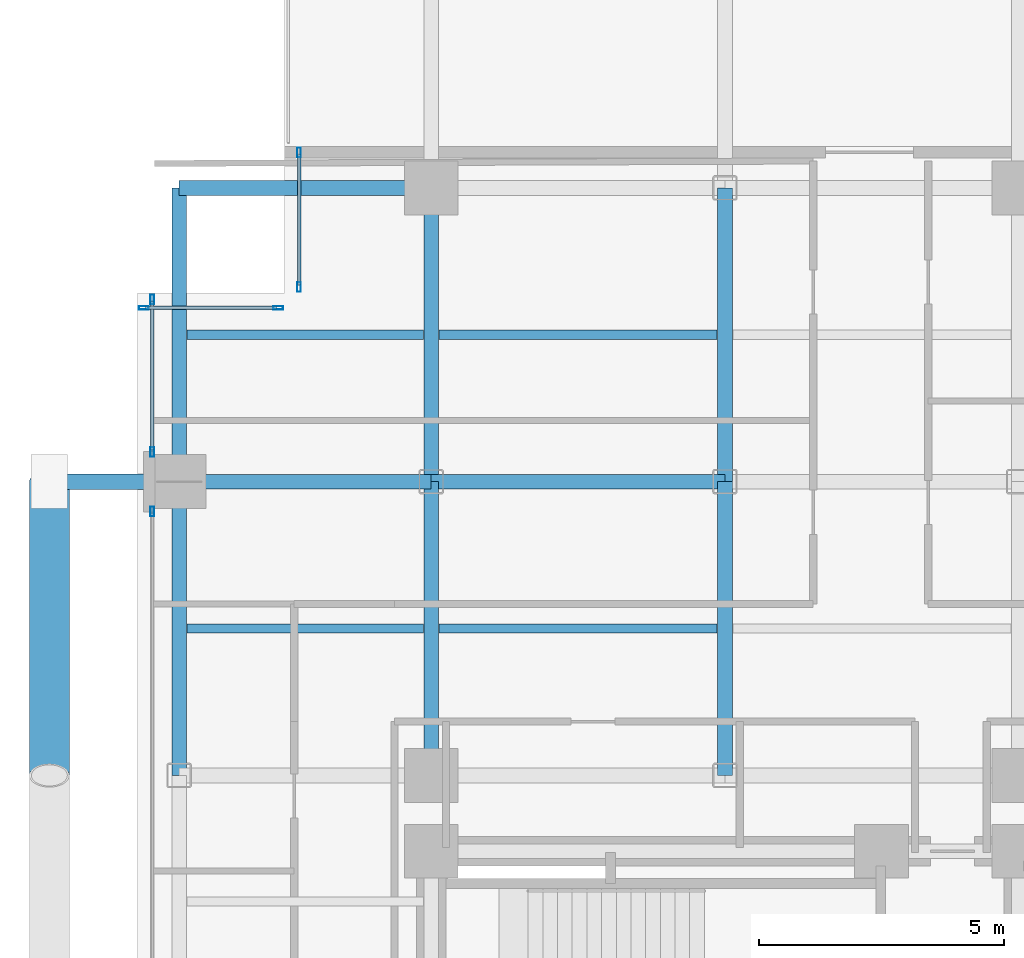
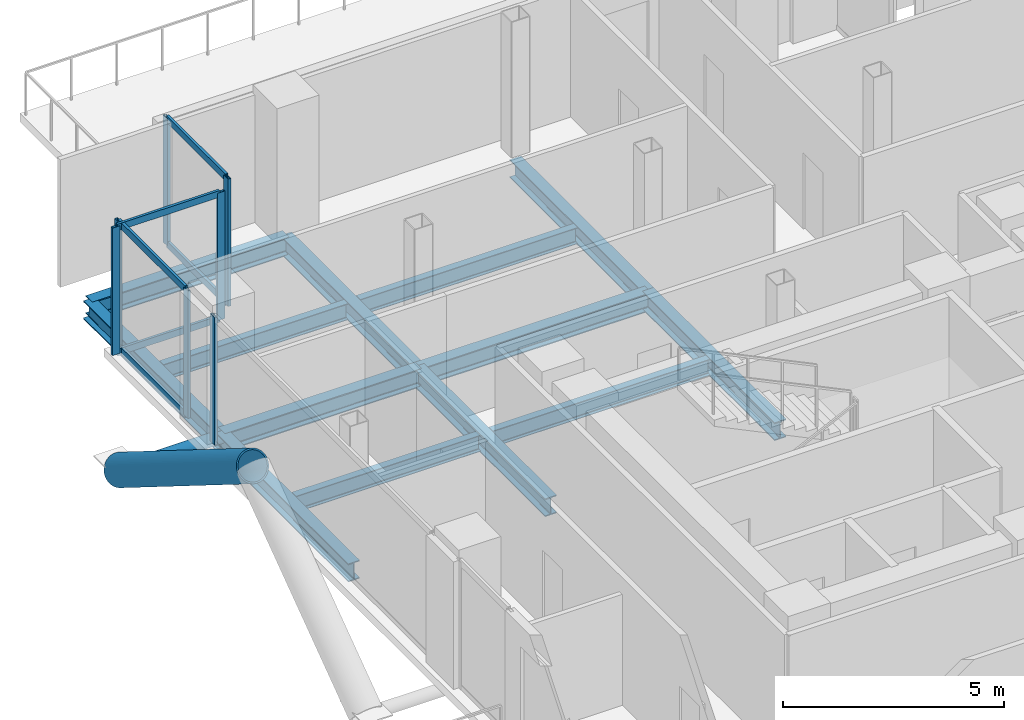
# One storey, part 15 of 26: 15 members, 13 beams, 4 elements without a shape of their own.
"""IFC4 building model written with IfcOpenShell, lengths in metres."""

from ifc_helpers import new_model, si_unit, direction, frame, origin, origin_2d, place, context, subcontext, project, spatial, hollow_rectangle, hollow_circle, i_section, extrude, material, layer, layer_set, material_profile, profile_set, type_object, element, aggregate, save


model = new_model("IFC4")

# Units and contexts
model_context = context("Model", 3, precision=1e-05, world=origin(), true_north=direction((0.0, 1.0)))
body_context = subcontext(model_context, "Body", "Model", "MODEL_VIEW")
ifc_project = project(units=[si_unit("LENGTHUNIT", "METRE"), si_unit("AREAUNIT", "SQUARE_METRE"), si_unit("VOLUMEUNIT", "CUBIC_METRE"), si_unit("PLANEANGLEUNIT", "RADIAN"), si_unit("MASSUNIT", "GRAM", prefix="KILO"), si_unit("THERMODYNAMICTEMPERATUREUNIT", "KELVIN"), si_unit("POWERUNIT", "WATT")], contexts=[model_context])

# Site, building, storey
site_placement = place(None, origin())
site = spatial("IfcSite", under=ifc_project, at=site_placement, CompositionType="ELEMENT")
building_placement = place(site_placement, origin())
building = spatial("IfcBuilding", under=site, at=building_placement, Name="Svarakhadi Broadcast Tower", CompositionType="ELEMENT")
storey_placement = place(building_placement, frame((0.0, 0.0, 99.60009765625)))
storey = spatial("IfcBuildingStorey", under=building, at=storey_placement, Name="L23", CompositionType="ELEMENT", Elevation=99.60009765625)

# Beams
ifc_material_1 = material(Name="Steel S355J2 (IS 2062 E350C)", Category="steel")
ifc_material_profile_1 = material_profile(ifc_material_1, i_section(OverallWidth=0.18994140625, OverallDepth=0.449951171875, WebThickness=0.009521484375, FlangeThickness=0.0146484375, FilletRadius=0.02099609375, at=origin_2d()), Name="NPB 450x190x78")
ifc_profile_set_1 = profile_set([ifc_material_profile_1], Name="Steel S355J2 (IS 2062 E350C)")
beam_type_1 = type_object("IfcBeamType", Name="Beam_NPB450", PredefinedType="BEAM", material=ifc_profile_set_1)
for number, where, z_axis, x_axis, name in (
    (1, (1.010009765625, 32.14990234375, -0.4501953125), (1.0, 0.0, 0.0), (0.0, 1.0, 0.0), "L23 Secondary Composite Beam SB005"),
    (2, (1.010009765625, 38.14990234375, -0.4501953125), (1.0, 0.0, 0.0), (0.0, 1.0, 0.0), "L23 Secondary Composite Beam SB006"),
):
    element("IfcBeam", number, at=place(storey_placement, frame(where, z_axis=z_axis, x_axis=x_axis)), inside=storey, type_object=beam_type_1, Name=name, PredefinedType="BEAM", context=body_context, shape_type="SweptSolid", body=[
        extrude(i_section(OverallWidth=0.18994140625, OverallDepth=0.449951171875, WebThickness=0.009521484375, FlangeThickness=0.0146484375, FilletRadius=0.02099609375, at=origin_2d()), origin(), (0.0, 0.0, 1.0), 4.830078125),
    ])
for number, where, z_axis, x_axis, name in (
    (3, (6.159912109375, 32.14990234375, -0.4501953125), (1.0, 0.0, 0.0), (0.0, 1.0, 0.0), "L23 Secondary Composite Beam SB010"),
    (4, (6.159912109375, 38.14990234375, -0.4501953125), (1.0, 0.0, 0.0), (0.0, 1.0, 0.0), "L23 Secondary Composite Beam SB011"),
):
    element("IfcBeam", number, at=place(storey_placement, frame(where, z_axis=z_axis, x_axis=x_axis)), inside=storey, type_object=beam_type_1, Name=name, PredefinedType="BEAM", context=body_context, shape_type="SweptSolid", body=[
        extrude(i_section(OverallWidth=0.18994140625, OverallDepth=0.449951171875, WebThickness=0.009521484375, FlangeThickness=0.0146484375, FilletRadius=0.02099609375, at=origin_2d()), origin(), (0.0, 0.0, 1.0), 5.68017578125),
    ])

# Curtain wall, member
ifc_material_2 = material(Name="Anodised Bronze Aluminium AA 6063-T6", Category="aluminium")
ifc_layer = layer(ifc_material_2, 0.199951171875)
ifc_layer_set = layer_set([ifc_layer], Name="Anodised Bronze Aluminium AA 6063-T6")
curtain_wall_type = type_object("IfcCurtainWallType", Name="CW_Sys_03", PredefinedType="NOTDEFINED", material=ifc_layer_set)
curtain_wall_1_placement = place(storey_placement, origin())
curtain_wall_1 = element("IfcCurtainWall", 5, at=curtain_wall_1_placement, inside=storey, type_object=curtain_wall_type, Name="L23 West Curtain Wall 03 Bay 2", PredefinedType="NOTDEFINED")
ifc_material_profile_2 = material_profile(ifc_material_2, hollow_rectangle(XDim=0.074951171875, YDim=0.199951171875, WallThickness=0.005615234375, at=origin_2d()), Name="ALU MULLION 200x75x6")
ifc_profile_set_2 = profile_set([ifc_material_profile_2], Name="Anodised Bronze Aluminium AA 6063-T6")
member_type_1 = type_object("IfcMemberType", Name="CW_Sys_03_Mul", PredefinedType="MULLION", material=ifc_profile_set_2)
member_1_placement = place(storey_placement, frame((0.300048828125, 34.54248046875, 0.0), z_axis=(0.0, 0.0, 1.0), x_axis=(-1.0, 0.0, 0.0)))
member_1 = element("IfcMember", 6, at=member_1_placement, type_object=member_type_1, Name="CW-03 mullion 2", PredefinedType="MULLION", context=body_context, shape_type="SweptSolid", body=[
    extrude(hollow_rectangle(XDim=0.074951171875, YDim=0.199951171875, WallThickness=0.005615234375, at=origin_2d()), origin(), (0.0, 0.0, 1.0), 3.52490234375),
])
aggregate(curtain_wall_1, [member_1])

# Curtain wall, members
curtain_wall_2_placement = place(storey_placement, origin())
curtain_wall_2 = element("IfcCurtainWall", 7, at=curtain_wall_2_placement, inside=storey, type_object=curtain_wall_type, Name="L23 West Curtain Wall 03 Bay 3", PredefinedType="NOTDEFINED")
member_2_placement = place(storey_placement, frame((0.300048828125, 35.757568359375, 0.0), z_axis=(0.0, 0.0, 1.0), x_axis=(-1.0, 0.0, 0.0)))
member_2 = element("IfcMember", 8, at=member_2_placement, type_object=member_type_1, Name="CW-03 mullion 1", PredefinedType="MULLION", context=body_context, shape_type="SweptSolid", body=[
    extrude(hollow_rectangle(XDim=0.074951171875, YDim=0.199951171875, WallThickness=0.005615234375, at=origin_2d()), origin(), (0.0, 0.0, 1.0), 3.52490234375),
])
member_3_placement = place(storey_placement, frame((0.300048828125, 38.87255859375, 0.0), z_axis=(0.0, 0.0, 1.0), x_axis=(-1.0, 0.0, 0.0)))
member_3 = element("IfcMember", 9, at=member_3_placement, type_object=member_type_1, Name="CW-03 mullion 2", PredefinedType="MULLION", context=body_context, shape_type="SweptSolid", body=[
    extrude(hollow_rectangle(XDim=0.074951171875, YDim=0.199951171875, WallThickness=0.005615234375, at=origin_2d()), origin(), (0.0, 0.0, 1.0), 3.52490234375),
])

curtain_wall_3_placement = place(storey_placement, origin())
curtain_wall_3 = element("IfcCurtainWall", 10, at=curtain_wall_3_placement, inside=storey, type_object=curtain_wall_type, Name="L23 Unitised Facade Curtain Wall 04", PredefinedType="NOTDEFINED")
member_4_placement = place(storey_placement, frame((0.12744140625, 38.699951171875, 0.0), z_axis=(0.0, 0.0, 1.0), x_axis=(0.0, 1.0, 0.0)))
member_4 = element("IfcMember", 11, at=member_4_placement, type_object=member_type_1, Name="CW-03 mullion 1", PredefinedType="MULLION", context=body_context, shape_type="SweptSolid", body=[
    extrude(hollow_rectangle(XDim=0.074951171875, YDim=0.199951171875, WallThickness=0.005615234375, at=origin_2d()), origin(), (0.0, 0.0, 1.0), 3.52490234375),
])
member_5_placement = place(storey_placement, frame((2.87255859375, 38.699951171875, 0.0), z_axis=(0.0, 0.0, 1.0), x_axis=(0.0, 1.0, 0.0)))
member_5 = element("IfcMember", 12, at=member_5_placement, type_object=member_type_1, Name="CW-03 mullion 2", PredefinedType="MULLION", context=body_context, shape_type="SweptSolid", body=[
    extrude(hollow_rectangle(XDim=0.074951171875, YDim=0.199951171875, WallThickness=0.005615234375, at=origin_2d()), origin(), (0.0, 0.0, 1.0), 3.52490234375),
])

curtain_wall_4_placement = place(storey_placement, origin())
curtain_wall_4 = element("IfcCurtainWall", 13, at=curtain_wall_4_placement, inside=storey, type_object=curtain_wall_type, Name="L23 Unitised Facade Curtain Wall 05", PredefinedType="NOTDEFINED")
member_6_placement = place(storey_placement, frame((3.300048828125, 39.12744140625, 0.0), z_axis=(0.0, 0.0, 1.0), x_axis=(-1.0, 0.0, 0.0)))
member_6 = element("IfcMember", 14, at=member_6_placement, type_object=member_type_1, Name="CW-03 mullion 1", PredefinedType="MULLION", context=body_context, shape_type="SweptSolid", body=[
    extrude(hollow_rectangle(XDim=0.074951171875, YDim=0.199951171875, WallThickness=0.005615234375, at=origin_2d()), origin(), (0.0, 0.0, 1.0), 3.52490234375),
])
member_7_placement = place(storey_placement, frame((3.300048828125, 41.87255859375, 0.0), z_axis=(0.0, 0.0, 1.0), x_axis=(-1.0, 0.0, 0.0)))
member_7 = element("IfcMember", 15, at=member_7_placement, type_object=member_type_1, Name="CW-03 mullion 2", PredefinedType="MULLION", context=body_context, shape_type="SweptSolid", body=[
    extrude(hollow_rectangle(XDim=0.074951171875, YDim=0.199951171875, WallThickness=0.005615234375, at=origin_2d()), origin(), (0.0, 0.0, 1.0), 3.52490234375),
])

# Member
ifc_material_profile_3 = material_profile(ifc_material_2, hollow_rectangle(XDim=0.070068359375, YDim=0.18505859375, WallThickness=0.0048828125, at=origin_2d()), Name="ALU TRANSOM 185x70x5")
ifc_profile_set_3 = profile_set([ifc_material_profile_3], Name="Anodised Bronze Aluminium AA 6063-T6")
member_type_2 = type_object("IfcMemberType", Name="CW_Sys_03_Trn", PredefinedType="USERDEFINED", material=ifc_profile_set_3)
member_8_placement = place(storey_placement, frame((0.300048828125, 35.794921875, 0.034912109375), z_axis=(0.0, 1.0, 0.0), x_axis=(-1.0, 0.0, 0.0)))
member_8 = element("IfcMember", 16, at=member_8_placement, type_object=member_type_2, Name="CW-03 transom 1.1", ObjectType="TRANSOM", PredefinedType="USERDEFINED", context=body_context, shape_type="SweptSolid", body=[
    extrude(hollow_rectangle(XDim=0.070068359375, YDim=0.18505859375, WallThickness=0.0048828125, at=origin_2d()), origin(), (0.0, 0.0, 1.0), 3.0400390625),
])

member_9_placement = place(storey_placement, frame((0.300048828125, 35.794921875, 3.489990234375), z_axis=(0.0, 1.0, 0.0), x_axis=(-1.0, 0.0, 0.0)))
member_9 = element("IfcMember", 17, at=member_9_placement, type_object=member_type_2, Name="CW-03 transom 1.2", ObjectType="TRANSOM", PredefinedType="USERDEFINED", context=body_context, shape_type="SweptSolid", body=[
    extrude(hollow_rectangle(XDim=0.070068359375, YDim=0.18505859375, WallThickness=0.0048828125, at=origin_2d()), origin(), (0.0, 0.0, 1.0), 3.0400390625),
])

aggregate(curtain_wall_2, [member_2, member_3, member_8, member_9])

member_10_placement = place(storey_placement, frame((0.1650390625, 38.699951171875, 0.034912109375), z_axis=(1.0, 0.0, 0.0), x_axis=(0.0, 1.0, 0.0)))
member_10 = element("IfcMember", 18, at=member_10_placement, type_object=member_type_2, Name="CW-03 transom 1.1", ObjectType="TRANSOM", PredefinedType="USERDEFINED", context=body_context, shape_type="SweptSolid", body=[
    extrude(hollow_rectangle(XDim=0.070068359375, YDim=0.18505859375, WallThickness=0.0048828125, at=origin_2d()), origin(), (0.0, 0.0, 1.0), 2.669921875),
])

member_11_placement = place(storey_placement, frame((0.1650390625, 38.699951171875, 3.489990234375), z_axis=(1.0, 0.0, 0.0), x_axis=(0.0, 1.0, 0.0)))
member_11 = element("IfcMember", 19, at=member_11_placement, type_object=member_type_2, Name="CW-03 transom 1.2", ObjectType="TRANSOM", PredefinedType="USERDEFINED", context=body_context, shape_type="SweptSolid", body=[
    extrude(hollow_rectangle(XDim=0.070068359375, YDim=0.18505859375, WallThickness=0.0048828125, at=origin_2d()), origin(), (0.0, 0.0, 1.0), 2.669921875),
])

aggregate(curtain_wall_3, [member_4, member_5, member_10, member_11])

member_12_placement = place(storey_placement, frame((3.300048828125, 39.1650390625, 0.034912109375), z_axis=(0.0, 1.0, 0.0), x_axis=(-1.0, 0.0, 0.0)))
member_12 = element("IfcMember", 20, at=member_12_placement, type_object=member_type_2, Name="CW-03 transom 1.1", ObjectType="TRANSOM", PredefinedType="USERDEFINED", context=body_context, shape_type="SweptSolid", body=[
    extrude(hollow_rectangle(XDim=0.070068359375, YDim=0.18505859375, WallThickness=0.0048828125, at=origin_2d()), origin(), (0.0, 0.0, 1.0), 2.669921875),
])

member_13_placement = place(storey_placement, frame((3.300048828125, 39.1650390625, 3.489990234375), z_axis=(0.0, 1.0, 0.0), x_axis=(-1.0, 0.0, 0.0)))
member_13 = element("IfcMember", 21, at=member_13_placement, type_object=member_type_2, Name="CW-03 transom 1.2", ObjectType="TRANSOM", PredefinedType="USERDEFINED", context=body_context, shape_type="SweptSolid", body=[
    extrude(hollow_rectangle(XDim=0.070068359375, YDim=0.18505859375, WallThickness=0.0048828125, at=origin_2d()), origin(), (0.0, 0.0, 1.0), 2.669921875),
])

aggregate(curtain_wall_4, [member_6, member_7, member_12, member_13])

# Members
ifc_material_3 = material(Name="Steel S460ML (IS 2062 E450BR)", Category="steel")
ifc_material_profile_4 = material_profile(ifc_material_3, hollow_circle(Radius=0.406494140625, WallThickness=0.0400390625, at=origin_2d()), Name="CHS 813x40")
ifc_profile_set_4 = profile_set([ifc_material_profile_4], Name="Steel S460ML (IS 2062 E450BR)")
member_type_3 = type_object("IfcMemberType", Name="Exo_Brace_CHS813", PredefinedType="BRACE", material=ifc_profile_set_4)
member_14_placement = place(storey_placement, frame((-1.800048828125, 35.14990234375, -0.386962890625), z_axis=(0.0, -0.847998304005, 0.529998940003), x_axis=(1.0, 0.0, 0.0)))
element("IfcMember", 22, at=member_14_placement, inside=storey, type_object=member_type_3, Name="L23 Exposed Bronze Exoskeleton Diagonal W05", PredefinedType="BRACE", context=body_context, shape_type="SweptSolid", body=[
    extrude(hollow_circle(Radius=0.406494140625, WallThickness=0.0400390625, at=origin_2d()), origin(), (0.0, 0.0, 1.0), 7.075439453125),
])
ifc_material_profile_5 = material_profile(ifc_material_3, hollow_circle(Radius=0.161865234375, WallThickness=0.01611328125, at=origin_2d()), Name="CHS 323.9x16")
ifc_profile_set_5 = profile_set([ifc_material_profile_5], Name="Steel S460ML (IS 2062 E450BR)")
member_type_4 = type_object("IfcMemberType", Name="Exo_Radial_Strut_Z2", PredefinedType="STRUT", material=ifc_profile_set_5)
member_15_placement = place(storey_placement, frame((-1.800048828125, 35.14990234375, -0.386962890625), z_axis=(1.0, 0.0, 0.0), x_axis=(0.0, 1.0, 0.0)))
element("IfcMember", 23, at=member_15_placement, inside=storey, type_object=member_type_4, Name="L23 Exoskeleton Radial Tie Strut W06", PredefinedType="STRUT", context=body_context, shape_type="SweptSolid", body=[
    extrude(hollow_circle(Radius=0.161865234375, WallThickness=0.01611328125, at=origin_2d()), origin(), (0.0, 0.0, 1.0), 2.650146484375),
])

# Beams
ifc_material_profile_6 = material_profile(ifc_material_1, i_section(OverallWidth=0.300048828125, OverallDepth=0.5, WebThickness=0.014404296875, FlangeThickness=0.028076171875, FilletRadius=0.027099609375, at=origin_2d()), Name="WPB 500x300x187")
ifc_profile_set_6 = profile_set([ifc_material_profile_6], Name="Steel S355J2 (IS 2062 E350C)")
beam_type_2 = type_object("IfcBeamType", Name="Girder_WPB500", PredefinedType="USERDEFINED", material=ifc_profile_set_6)
beam_1_placement = place(storey_placement, frame((0.85009765625, 35.14990234375, -0.47509765625), z_axis=(1.0, 0.0, 0.0), x_axis=(0.0, 1.0, 0.0)))
element("IfcBeam", 24, at=beam_1_placement, inside=storey, type_object=beam_type_2, Name="L23 Primary E-W Girder G036", ObjectType="GIRDER", PredefinedType="USERDEFINED", context=body_context, shape_type="SweptSolid", body=[
    extrude(i_section(OverallWidth=0.300048828125, OverallDepth=0.5, WebThickness=0.014404296875, FlangeThickness=0.028076171875, FilletRadius=0.027099609375, at=origin_2d()), origin(), (0.0, 0.0, 1.0), 5.14990234375),
])
beam_2_placement = place(storey_placement, frame((6.0, 35.14990234375, -0.47509765625), z_axis=(1.0, 0.0, 0.0), x_axis=(0.0, 1.0, 0.0)))
element("IfcBeam", 25, at=beam_2_placement, inside=storey, type_object=beam_type_2, Name="L23 Primary E-W Girder G037", ObjectType="GIRDER", PredefinedType="USERDEFINED", context=body_context, shape_type="SweptSolid", body=[
    extrude(i_section(OverallWidth=0.300048828125, OverallDepth=0.5, WebThickness=0.014404296875, FlangeThickness=0.028076171875, FilletRadius=0.027099609375, at=origin_2d()), origin(), (0.0, 0.0, 1.0), 6.0),
])
beam_3_placement = place(storey_placement, frame((0.85009765625, 41.14990234375, -0.47509765625), z_axis=(1.0, 0.0, 0.0), x_axis=(0.0, 1.0, 0.0)))
element("IfcBeam", 26, at=beam_3_placement, inside=storey, type_object=beam_type_2, Name="L23 Primary E-W Girder G039", ObjectType="GIRDER", PredefinedType="USERDEFINED", context=body_context, shape_type="SweptSolid", body=[
    extrude(i_section(OverallWidth=0.300048828125, OverallDepth=0.5, WebThickness=0.014404296875, FlangeThickness=0.028076171875, FilletRadius=0.027099609375, at=origin_2d()), origin(), (0.0, 0.0, 1.0), 5.14990234375),
])
for number, where, z_axis, x_axis, name in (
    (27, (0.85009765625, 29.14990234375, -0.47509765625), (0.0, 1.0, 0.0), (-1.0, 0.0, 0.0), "L23 Primary N-S Girder G046"),
    (28, (0.85009765625, 35.14990234375, -0.47509765625), (0.0, 1.0, 0.0), (-1.0, 0.0, 0.0), "L23 Primary N-S Girder G047"),
    (29, (6.0, 29.14990234375, -0.47509765625), (0.0, 1.0, 0.0), (-1.0, 0.0, 0.0), "L23 Primary N-S Girder G052"),
    (30, (6.0, 35.14990234375, -0.47509765625), (0.0, 1.0, 0.0), (-1.0, 0.0, 0.0), "L23 Primary N-S Girder G053"),
    (31, (12.0, 29.14990234375, -0.47509765625), (0.0, 1.0, 0.0), (-1.0, 0.0, 0.0), "L23 Primary N-S Girder G057"),
    (32, (12.0, 35.14990234375, -0.47509765625), (0.0, 1.0, 0.0), (-1.0, 0.0, 0.0), "L23 Primary N-S Girder G058"),
):
    element("IfcBeam", number, at=place(storey_placement, frame(where, z_axis=z_axis, x_axis=x_axis)), inside=storey, type_object=beam_type_2, Name=name, ObjectType="GIRDER", PredefinedType="USERDEFINED", context=body_context, shape_type="SweptSolid", body=[
        extrude(i_section(OverallWidth=0.300048828125, OverallDepth=0.5, WebThickness=0.014404296875, FlangeThickness=0.028076171875, FilletRadius=0.027099609375, at=origin_2d()), origin(), (0.0, 0.0, 1.0), 6.0),
    ])

save(model, "model.ifc")
